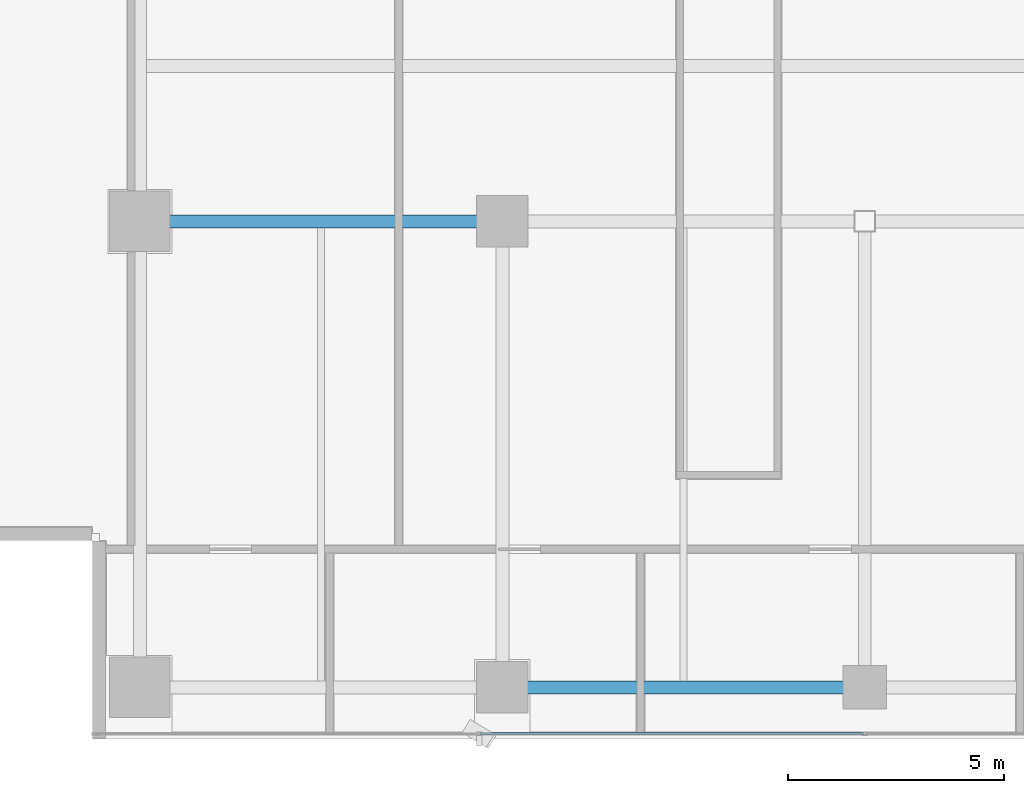
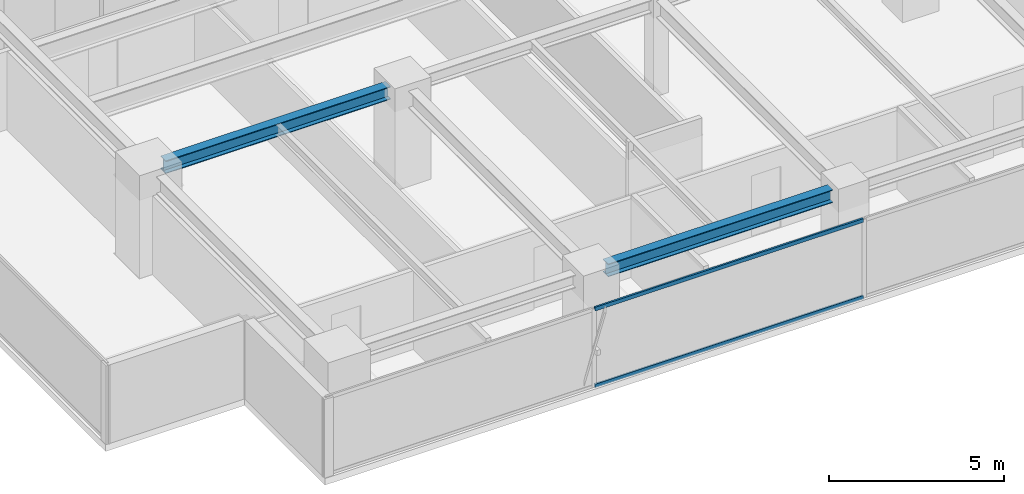
# One storey, part 5 of 27: 2 beams, 2 members, 1 element without a shape of its own.
"""IFC4 building model written with IfcOpenShell, lengths in metres."""

from ifc_helpers import new_model, si_unit, direction, frame, origin, origin_2d, place, context, subcontext, project, spatial, hollow_rectangle, i_section, extrude, source, transform, mapped, material, layer, layer_set, material_profile, profile_set, type_object, element, aggregate, save


model = new_model("IFC4")

# Units and contexts
model_context = context("Model", 3, precision=1e-05, world=origin(), true_north=direction((0.0, 1.0)))
body_context = subcontext(model_context, "Body", "Model", "MODEL_VIEW")
ifc_project = project(units=[si_unit("LENGTHUNIT", "METRE"), si_unit("AREAUNIT", "SQUARE_METRE"), si_unit("VOLUMEUNIT", "CUBIC_METRE"), si_unit("PLANEANGLEUNIT", "RADIAN"), si_unit("MASSUNIT", "GRAM", prefix="KILO")], contexts=[model_context])

# Site, building, storey
site_placement = place(None, origin())
site = spatial("IfcSite", under=ifc_project, at=site_placement, CompositionType="ELEMENT")
building_placement = place(site_placement, origin())
building = spatial("IfcBuilding", under=site, at=building_placement, Name="Sumidabori Civic Tower", CompositionType="ELEMENT")
storey_placement = place(building_placement, frame((0.0, 0.0, 257.60009765625)))
storey = spatial("IfcBuildingStorey", under=building, at=storey_placement, Name="L67", CompositionType="ELEMENT", Elevation=257.60009765625)

# Beams
ifc_material_1 = material(Name="Steel SN490", Category="steel")
ifc_material_profile_1 = material_profile(ifc_material_1, i_section(OverallWidth=0.300048828125, OverallDepth=0.449951171875, WebThickness=0.013916015625, FlangeThickness=0.02587890625, at=origin_2d()), Name="HE 450 B")
ifc_profile_set_1 = profile_set([ifc_material_profile_1], Name="Steel SN490")
beam_type = type_object("IfcBeamType", Name="BM-GIRD-450", PredefinedType="BEAM", material=ifc_profile_set_1)
shared_shape_1 = source(origin(), body_context, "Body", "SweptSolid", [
    extrude(i_section(OverallWidth=0.300048828125, OverallDepth=0.449951171875, WebThickness=0.013916015625, FlangeThickness=0.02587890625, at=origin_2d()), origin(), (0.0, 0.0, 1.0), 7.440185546875),
])
beam_1_placement = place(storey_placement, frame((-16.320068359375, 0.0, 3.14501953125), z_axis=(1.0, 0.0, 0.0), x_axis=(0.0, 1.0, 0.0)))
element("IfcBeam", 1, at=beam_1_placement, inside=storey, type_object=beam_type, Name="Primary Girder L67 GX-05", PredefinedType="BEAM", context=body_context, shape_type="MappedRepresentation", body=[
    mapped(shared_shape_1, transform((0.0, 0.0, 0.0), x_axis=(1.0, 0.0, 0.0), y_axis=(0.0, 1.0, 0.0), z_axis=(0.0, 0.0, 1.0), scale=1.0)),
])
shared_shape_2 = source(origin(), body_context, "Body", "SweptSolid", [
    extrude(i_section(OverallWidth=0.300048828125, OverallDepth=0.449951171875, WebThickness=0.013916015625, FlangeThickness=0.02587890625, at=origin_2d()), origin(), (0.0, 0.0, 1.0), 7.43994140625),
])
beam_2_placement = place(storey_placement, frame((-7.919921875, -10.800048828125, 3.14501953125), z_axis=(1.0, 0.0, 0.0), x_axis=(0.0, 1.0, 0.0)))
element("IfcBeam", 2, at=beam_2_placement, inside=storey, type_object=beam_type, Name="Primary Girder L67 GX-02", PredefinedType="BEAM", context=body_context, shape_type="MappedRepresentation", body=[
    mapped(shared_shape_2, transform((0.0, 0.0, 0.0), x_axis=(1.0, 0.0, 0.0), y_axis=(0.0, 1.0, 0.0), z_axis=(0.0, 0.0, 1.0), scale=1.0)),
])

# Curtain wall, members
ifc_material_2 = material(Name="Anodised Bronze Aluminium AW-6063-T6", Category="aluminium")
ifc_layer = layer(ifc_material_2, 0.179931640625, Name="Anodised Bronze Aluminium AW-6063-T6")
ifc_layer_set = layer_set([ifc_layer], Name="Anodised Bronze Aluminium AW-6063-T6")
curtain_wall_type = type_object("IfcCurtainWallType", Name="CW-SYS-5", PredefinedType="NOTDEFINED", material=ifc_layer_set)
curtain_wall_placement = place(storey_placement, origin())
curtain_wall = element("IfcCurtainWall", 3, at=curtain_wall_placement, inside=storey, type_object=curtain_wall_type, Name="Curtain Wall CW:L67:R01", PredefinedType="NOTDEFINED")
ifc_material_profile_2 = material_profile(ifc_material_2, hollow_rectangle(XDim=0.06005859375, YDim=0.1298828125, WallThickness=0.0048828125, at=origin_2d()), Name="ALU TRANSOM 130x60")
ifc_profile_set_2 = profile_set([ifc_material_profile_2], Name="Anodised Bronze Aluminium AW-6063-T6")
member_type = type_object("IfcMemberType", Name="CW-TRN-130", PredefinedType="USERDEFINED", material=ifc_profile_set_2)
shared_shape_3 = source(origin(), body_context, "Body", "SweptSolid", [
    extrude(hollow_rectangle(XDim=0.06005859375, YDim=0.1298828125, WallThickness=0.0048828125, at=origin_2d()), origin(), (0.0, 0.0, 1.0), 8.875),
])
member_1_placement = place(storey_placement, frame((-8.905029296875, -11.8798828125, 0.02978515625), z_axis=(1.0, 0.0, 0.0), x_axis=(0.0, 1.0, 0.0)))
member_1 = element("IfcMember", 4, at=member_1_placement, type_object=member_type, Name="CW-5 transom 2.1", ObjectType="TRANSOM", PredefinedType="USERDEFINED", context=body_context, shape_type="MappedRepresentation", body=[
    mapped(shared_shape_3, transform((0.0, 0.0, 0.0), x_axis=(1.0, 0.0, 0.0), y_axis=(0.0, 1.0, 0.0), z_axis=(0.0, 0.0, 1.0), scale=1.0)),
])
member_2_placement = place(storey_placement, frame((-8.905029296875, -11.8798828125, 2.719970703125), z_axis=(1.0, 0.0, 0.0), x_axis=(0.0, 1.0, 0.0)))
member_2 = element("IfcMember", 5, at=member_2_placement, type_object=member_type, Name="CW-5 transom 2.2", ObjectType="TRANSOM", PredefinedType="USERDEFINED", context=body_context, shape_type="MappedRepresentation", body=[
    mapped(shared_shape_3, transform((0.0, 0.0, 0.0), x_axis=(1.0, 0.0, 0.0), y_axis=(0.0, 1.0, 0.0), z_axis=(0.0, 0.0, 1.0), scale=1.0)),
])
aggregate(curtain_wall, [member_1, member_2])

save(model, "model.ifc")
